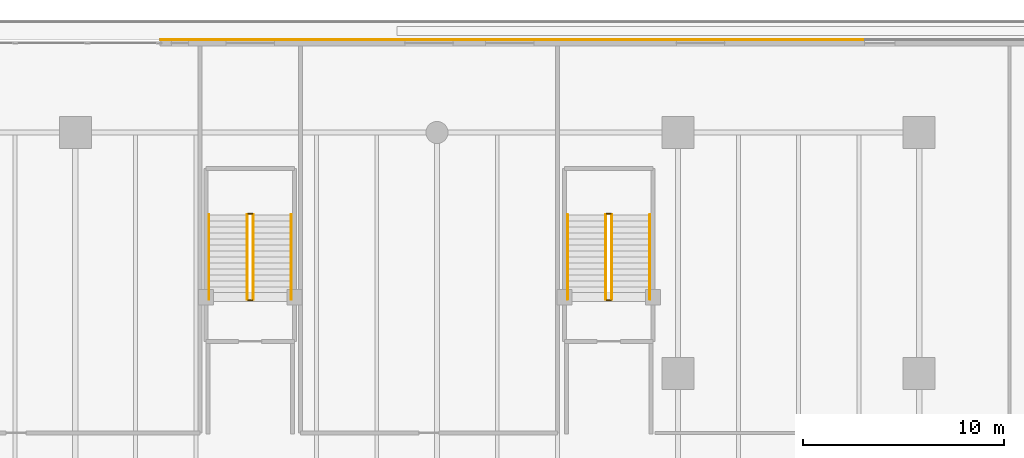
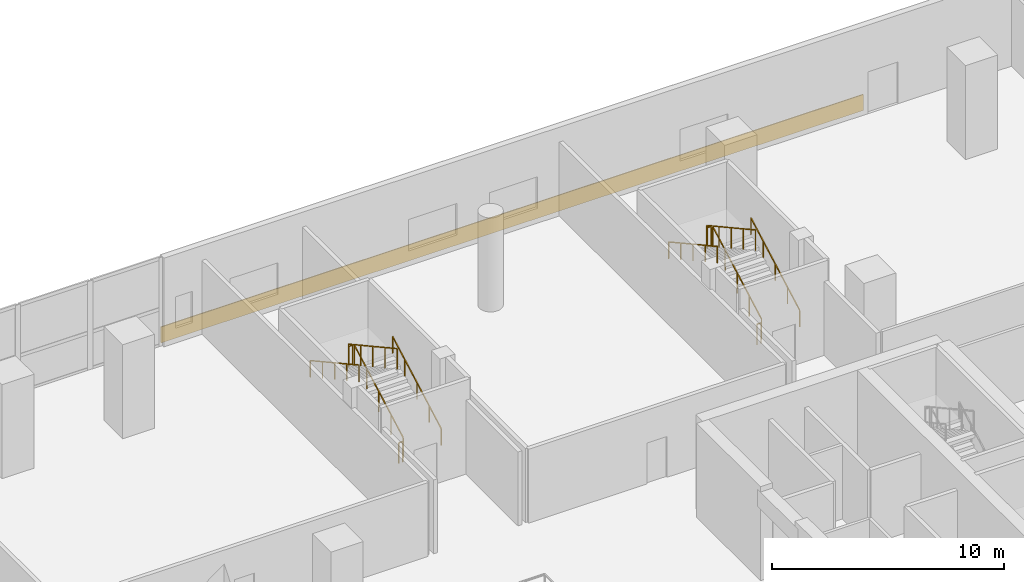
# One storey, part 26 of 27: 12 railings, 1 covering.
"""IFC4 building model written with IfcOpenShell, lengths in metres."""

from ifc_helpers import new_model, si_unit, direction, frame, origin, origin_2d, place, context, subcontext, project, spatial, rectangle, extrude, material, layer, layer_set, type_object, element, save


model = new_model("IFC4")

# Units and contexts
model_context = context("Model", 3, precision=1e-05, world=origin(), true_north=direction((0.0, 1.0)))
body_context = subcontext(model_context, "Body", "Model", "MODEL_VIEW")
ifc_project = project(units=[si_unit("LENGTHUNIT", "METRE"), si_unit("AREAUNIT", "SQUARE_METRE"), si_unit("VOLUMEUNIT", "CUBIC_METRE"), si_unit("PLANEANGLEUNIT", "RADIAN"), si_unit("MASSUNIT", "GRAM", prefix="KILO")], contexts=[model_context])

# Site, building, storey
site_placement = place(None, origin())
site = spatial("IfcSite", under=ifc_project, at=site_placement, CompositionType="ELEMENT")
building_placement = place(site_placement, origin())
building = spatial("IfcBuilding", under=site, at=building_placement, Name="Tanjung Sevakor Pilgrim Tower", CompositionType="ELEMENT")
storey_placement = place(building_placement, frame((0.0, 0.0, 9.89990234375)))
storey = spatial("IfcBuildingStorey", under=building, at=storey_placement, Name="L03", CompositionType="ELEMENT", Elevation=9.89990234375)

# Covering
ifc_material_1 = material(Name="Reconstructed Limestone Cladding", Category="masonry")
ifc_layer = layer(ifc_material_1, 0.044921875)
ifc_layer_set = layer_set([ifc_layer], Name="COV-CLAD-LIMESTONE")
covering_type = type_object("IfcCoveringType", Name="COV-CLAD-LIMESTONE", PredefinedType="CLADDING", material=ifc_layer_set)
covering_placement = place(storey_placement, frame((81.73388671875, 65.222412109375, 0.01025390625), z_axis=(0.0, 0.0, 1.0), x_axis=(-1.0, 0.0, 0.0)))
element("IfcCovering", 1, at=covering_placement, inside=storey, type_object=covering_type, Name="L03 Warm Limestone Sill Spandrel EW-L03-N1-2", PredefinedType="CLADDING", context=body_context, shape_type="SweptSolid", body=[
    extrude(rectangle(XDim=34.98779296875, YDim=0.044921875, at=origin_2d()), origin(), (0.0, 0.0, 1.0), 0.840087890625),
])

# Railings
ifc_material_2 = material(Name="Steel S355J2", Category="steel")
railing_type_1 = type_object("IfcRailingType", Name="RL-STAIR-GUARD", PredefinedType="GUARDRAIL", material=ifc_material_2)
railing_1_placement = place(storey_placement, frame((68.85009765625, 52.300048828125, 0.1650390625)))
element("IfcRailing", 2, at=railing_1_placement, inside=storey, type_object=railing_type_1, Name="L03 PS-4 stair guard 1", PredefinedType="GUARDRAIL", context=body_context, shape_type="SweptSolid", body=[
    extrude(rectangle(XDim=0.0479, YDim=0.0479), frame((0.0, 0.0, 1.076171875), z_axis=(0.0, 0.876208380975, 0.481932436249), x_axis=(-1.0, 0.0, 0.0)), (0.0, 0.0, 1.0), 4.793212890625),
    extrude(rectangle(XDim=0.042, YDim=0.042), origin(), (0.0, 0.0, 1.0), 1.052001953125),
    extrude(rectangle(XDim=0.042, YDim=0.042), frame((0.0, 1.050048828125, 0.57763671875)), (0.0, 0.0, 1.0), 1.052001953125),
    extrude(rectangle(XDim=0.042, YDim=0.042), frame((0.0, 2.10009765625, 1.155029296875)), (0.0, 0.0, 1.0), 1.052001953125),
    extrude(rectangle(XDim=0.042, YDim=0.042), frame((0.0, 3.14990234375, 1.732421875)), (0.0, 0.0, 1.0), 1.052001953125),
    extrude(rectangle(XDim=0.042, YDim=0.042), frame((0.0, 4.199951171875, 2.31005859375)), (0.0, 0.0, 1.0), 1.052001953125),
])
railing_2_placement = place(storey_placement, frame((68.800048828125, 56.550048828125, 2.47509765625)))
element("IfcRailing", 3, at=railing_2_placement, inside=storey, type_object=railing_type_1, Name="L03 PS-4 stair guard 2", PredefinedType="GUARDRAIL", context=body_context, shape_type="SweptSolid", body=[
    extrude(rectangle(XDim=0.0479, YDim=0.0479), frame((0.0, 0.0, 1.076171875), z_axis=(-1.0, 0.0, 0.0), x_axis=(0.0, -1.0, 0.0)), (0.0, 0.0, 1.0), 0.199951171875),
    extrude(rectangle(XDim=0.042, YDim=0.042), origin(), (0.0, 0.0, 1.0), 1.052001953125),
    extrude(rectangle(XDim=0.042, YDim=0.042), frame((-0.199951171875, 0.0, 0.0)), (0.0, 0.0, 1.0), 1.052001953125),
])
railing_3_placement = place(storey_placement, frame((68.550048828125, 56.5, 2.64013671875)))
element("IfcRailing", 4, at=railing_3_placement, inside=storey, type_object=railing_type_1, Name="L03 PS-4 stair guard 3", PredefinedType="GUARDRAIL", context=body_context, shape_type="SweptSolid", body=[
    extrude(rectangle(XDim=0.0479, YDim=0.0479), frame((0.0, 0.0, 1.076171875), z_axis=(0.0, -0.876208380975, 0.481932436249), x_axis=(1.0, 0.0, 0.0)), (0.0, 0.0, 1.0), 4.793212890625),
    extrude(rectangle(XDim=0.042, YDim=0.042), origin(), (0.0, 0.0, 1.0), 1.052001953125),
    extrude(rectangle(XDim=0.042, YDim=0.042), frame((0.0, -1.050048828125, 0.57763671875)), (0.0, 0.0, 1.0), 1.052001953125),
    extrude(rectangle(XDim=0.042, YDim=0.042), frame((0.0, -2.10009765625, 1.155029296875)), (0.0, 0.0, 1.0), 1.052001953125),
    extrude(rectangle(XDim=0.042, YDim=0.042), frame((0.0, -3.14990234375, 1.732421875)), (0.0, 0.0, 1.0), 1.052001953125),
    extrude(rectangle(XDim=0.042, YDim=0.042), frame((0.0, -4.199951171875, 2.31005859375)), (0.0, 0.0, 1.0), 1.052001953125),
])
railing_4_placement = place(storey_placement, frame((68.800048828125, 52.25, 0.0)))
element("IfcRailing", 5, at=railing_4_placement, inside=storey, type_object=railing_type_1, Name="L03 PS-4 stair guard 4", PredefinedType="GUARDRAIL", context=body_context, shape_type="SweptSolid", body=[
    extrude(rectangle(XDim=0.0479, YDim=0.0479), frame((0.0, 0.0, 1.076171875), z_axis=(-1.0, 0.0, 0.0), x_axis=(0.0, -1.0, 0.0)), (0.0, 0.0, 1.0), 0.199951171875),
    extrude(rectangle(XDim=0.042, YDim=0.042), origin(), (0.0, 0.0, 1.0), 1.052001953125),
    extrude(rectangle(XDim=0.042, YDim=0.042), frame((-0.199951171875, 0.0, 0.0)), (0.0, 0.0, 1.0), 1.052001953125),
])
railing_5_placement = place(storey_placement, frame((86.699951171875, 52.300048828125, 0.1650390625)))
element("IfcRailing", 6, at=railing_5_placement, inside=storey, type_object=railing_type_1, Name="L03 PS-6 stair guard 1", PredefinedType="GUARDRAIL", context=body_context, shape_type="SweptSolid", body=[
    extrude(rectangle(XDim=0.0479, YDim=0.0479), frame((0.0, 0.0, 1.076171875), z_axis=(0.0, 0.876208380975, 0.481932436249), x_axis=(-1.0, 0.0, 0.0)), (0.0, 0.0, 1.0), 4.793212890625),
    extrude(rectangle(XDim=0.042, YDim=0.042), origin(), (0.0, 0.0, 1.0), 1.052001953125),
    extrude(rectangle(XDim=0.042, YDim=0.042), frame((0.0, 1.050048828125, 0.57763671875)), (0.0, 0.0, 1.0), 1.052001953125),
    extrude(rectangle(XDim=0.042, YDim=0.042), frame((0.0, 2.10009765625, 1.155029296875)), (0.0, 0.0, 1.0), 1.052001953125),
    extrude(rectangle(XDim=0.042, YDim=0.042), frame((0.0, 3.14990234375, 1.732421875)), (0.0, 0.0, 1.0), 1.052001953125),
    extrude(rectangle(XDim=0.042, YDim=0.042), frame((0.0, 4.199951171875, 2.31005859375)), (0.0, 0.0, 1.0), 1.052001953125),
])
railing_6_placement = place(storey_placement, frame((86.64990234375, 56.550048828125, 2.47509765625)))
element("IfcRailing", 7, at=railing_6_placement, inside=storey, type_object=railing_type_1, Name="L03 PS-6 stair guard 2", PredefinedType="GUARDRAIL", context=body_context, shape_type="SweptSolid", body=[
    extrude(rectangle(XDim=0.0479, YDim=0.0479), frame((0.0, 0.0, 1.076171875), z_axis=(-1.0, 0.0, 0.0), x_axis=(0.0, -1.0, 0.0)), (0.0, 0.0, 1.0), 0.199951171875),
    extrude(rectangle(XDim=0.042, YDim=0.042), origin(), (0.0, 0.0, 1.0), 1.052001953125),
    extrude(rectangle(XDim=0.042, YDim=0.042), frame((-0.199951171875, 0.0, 0.0)), (0.0, 0.0, 1.0), 1.052001953125),
])
railing_7_placement = place(storey_placement, frame((86.39990234375, 56.5, 2.64013671875)))
element("IfcRailing", 8, at=railing_7_placement, inside=storey, type_object=railing_type_1, Name="L03 PS-6 stair guard 3", PredefinedType="GUARDRAIL", context=body_context, shape_type="SweptSolid", body=[
    extrude(rectangle(XDim=0.0479, YDim=0.0479), frame((0.0, 0.0, 1.076171875), z_axis=(0.0, -0.876208380975, 0.481932436249), x_axis=(1.0, 0.0, 0.0)), (0.0, 0.0, 1.0), 4.793212890625),
    extrude(rectangle(XDim=0.042, YDim=0.042), origin(), (0.0, 0.0, 1.0), 1.052001953125),
    extrude(rectangle(XDim=0.042, YDim=0.042), frame((0.0, -1.050048828125, 0.57763671875)), (0.0, 0.0, 1.0), 1.052001953125),
    extrude(rectangle(XDim=0.042, YDim=0.042), frame((0.0, -2.10009765625, 1.155029296875)), (0.0, 0.0, 1.0), 1.052001953125),
    extrude(rectangle(XDim=0.042, YDim=0.042), frame((0.0, -3.14990234375, 1.732421875)), (0.0, 0.0, 1.0), 1.052001953125),
    extrude(rectangle(XDim=0.042, YDim=0.042), frame((0.0, -4.199951171875, 2.31005859375)), (0.0, 0.0, 1.0), 1.052001953125),
])
railing_8_placement = place(storey_placement, frame((86.64990234375, 52.25, 0.0)))
element("IfcRailing", 9, at=railing_8_placement, inside=storey, type_object=railing_type_1, Name="L03 PS-6 stair guard 4", PredefinedType="GUARDRAIL", context=body_context, shape_type="SweptSolid", body=[
    extrude(rectangle(XDim=0.0479, YDim=0.0479), frame((0.0, 0.0, 1.076171875), z_axis=(-1.0, 0.0, 0.0), x_axis=(0.0, -1.0, 0.0)), (0.0, 0.0, 1.0), 0.199951171875),
    extrude(rectangle(XDim=0.042, YDim=0.042), origin(), (0.0, 0.0, 1.0), 1.052001953125),
    extrude(rectangle(XDim=0.042, YDim=0.042), frame((-0.199951171875, 0.0, 0.0)), (0.0, 0.0, 1.0), 1.052001953125),
])
ifc_material_3 = material(Name="Steel S355J2", Category="steel")
railing_type_2 = type_object("IfcRailingType", Name="RL-STAIR-HAND", PredefinedType="HANDRAIL", material=ifc_material_3)
railing_9_placement = place(storey_placement, frame((70.75, 52.300048828125, 0.1650390625)))
element("IfcRailing", 10, at=railing_9_placement, inside=storey, type_object=railing_type_2, Name="L03 PS-4 stair handrail 1", PredefinedType="HANDRAIL", context=body_context, shape_type="SweptSolid", body=[
    extrude(rectangle(XDim=0.0479, YDim=0.0479), frame((0.0, 0.0, 0.8759765625), z_axis=(0.0, 0.876208380975, 0.481932436249), x_axis=(-1.0, 0.0, 0.0)), (0.0, 0.0, 1.0), 4.793212890625),
    extrude(rectangle(XDim=0.042, YDim=0.042), origin(), (0.0, 0.0, 1.0), 0.851806640625),
    extrude(rectangle(XDim=0.042, YDim=0.042), frame((0.0, 1.050048828125, 0.57763671875)), (0.0, 0.0, 1.0), 0.851806640625),
    extrude(rectangle(XDim=0.042, YDim=0.042), frame((0.0, 2.10009765625, 1.155029296875)), (0.0, 0.0, 1.0), 0.851806640625),
    extrude(rectangle(XDim=0.042, YDim=0.042), frame((0.0, 3.14990234375, 1.732421875)), (0.0, 0.0, 1.0), 0.851806640625),
    extrude(rectangle(XDim=0.042, YDim=0.042), frame((0.0, 4.199951171875, 2.31005859375)), (0.0, 0.0, 1.0), 0.851806640625),
])
railing_10_placement = place(storey_placement, frame((66.64990234375, 56.5, 2.64013671875)))
element("IfcRailing", 11, at=railing_10_placement, inside=storey, type_object=railing_type_2, Name="L03 PS-4 stair handrail 2", PredefinedType="HANDRAIL", context=body_context, shape_type="SweptSolid", body=[
    extrude(rectangle(XDim=0.0479, YDim=0.0479), frame((0.0, 0.0, 0.8759765625), z_axis=(0.0, -0.876208380975, 0.481932436249), x_axis=(1.0, 0.0, 0.0)), (0.0, 0.0, 1.0), 4.793212890625),
    extrude(rectangle(XDim=0.042, YDim=0.042), origin(), (0.0, 0.0, 1.0), 0.851806640625),
    extrude(rectangle(XDim=0.042, YDim=0.042), frame((0.0, -1.050048828125, 0.57763671875)), (0.0, 0.0, 1.0), 0.851806640625),
    extrude(rectangle(XDim=0.042, YDim=0.042), frame((0.0, -2.10009765625, 1.155029296875)), (0.0, 0.0, 1.0), 0.851806640625),
    extrude(rectangle(XDim=0.042, YDim=0.042), frame((0.0, -3.14990234375, 1.732421875)), (0.0, 0.0, 1.0), 0.851806640625),
    extrude(rectangle(XDim=0.042, YDim=0.042), frame((0.0, -4.199951171875, 2.31005859375)), (0.0, 0.0, 1.0), 0.851806640625),
])
railing_11_placement = place(storey_placement, frame((88.60009765625, 52.300048828125, 0.1650390625)))
element("IfcRailing", 12, at=railing_11_placement, inside=storey, type_object=railing_type_2, Name="L03 PS-6 stair handrail 1", PredefinedType="HANDRAIL", context=body_context, shape_type="SweptSolid", body=[
    extrude(rectangle(XDim=0.0479, YDim=0.0479), frame((0.0, 0.0, 0.8759765625), z_axis=(0.0, 0.876208380975, 0.481932436249), x_axis=(-1.0, 0.0, 0.0)), (0.0, 0.0, 1.0), 4.793212890625),
    extrude(rectangle(XDim=0.042, YDim=0.042), origin(), (0.0, 0.0, 1.0), 0.851806640625),
    extrude(rectangle(XDim=0.042, YDim=0.042), frame((0.0, 1.050048828125, 0.57763671875)), (0.0, 0.0, 1.0), 0.851806640625),
    extrude(rectangle(XDim=0.042, YDim=0.042), frame((0.0, 2.10009765625, 1.155029296875)), (0.0, 0.0, 1.0), 0.851806640625),
    extrude(rectangle(XDim=0.042, YDim=0.042), frame((0.0, 3.14990234375, 1.732421875)), (0.0, 0.0, 1.0), 0.851806640625),
    extrude(rectangle(XDim=0.042, YDim=0.042), frame((0.0, 4.199951171875, 2.31005859375)), (0.0, 0.0, 1.0), 0.851806640625),
])
railing_12_placement = place(storey_placement, frame((84.5, 56.5, 2.64013671875)))
element("IfcRailing", 13, at=railing_12_placement, inside=storey, type_object=railing_type_2, Name="L03 PS-6 stair handrail 2", PredefinedType="HANDRAIL", context=body_context, shape_type="SweptSolid", body=[
    extrude(rectangle(XDim=0.0479, YDim=0.0479), frame((0.0, 0.0, 0.8759765625), z_axis=(0.0, -0.876208380975, 0.481932436249), x_axis=(1.0, 0.0, 0.0)), (0.0, 0.0, 1.0), 4.793212890625),
    extrude(rectangle(XDim=0.042, YDim=0.042), origin(), (0.0, 0.0, 1.0), 0.851806640625),
    extrude(rectangle(XDim=0.042, YDim=0.042), frame((0.0, -1.050048828125, 0.57763671875)), (0.0, 0.0, 1.0), 0.851806640625),
    extrude(rectangle(XDim=0.042, YDim=0.042), frame((0.0, -2.10009765625, 1.155029296875)), (0.0, 0.0, 1.0), 0.851806640625),
    extrude(rectangle(XDim=0.042, YDim=0.042), frame((0.0, -3.14990234375, 1.732421875)), (0.0, 0.0, 1.0), 0.851806640625),
    extrude(rectangle(XDim=0.042, YDim=0.042), frame((0.0, -4.199951171875, 2.31005859375)), (0.0, 0.0, 1.0), 0.851806640625),
])

save(model, "model.ifc")
